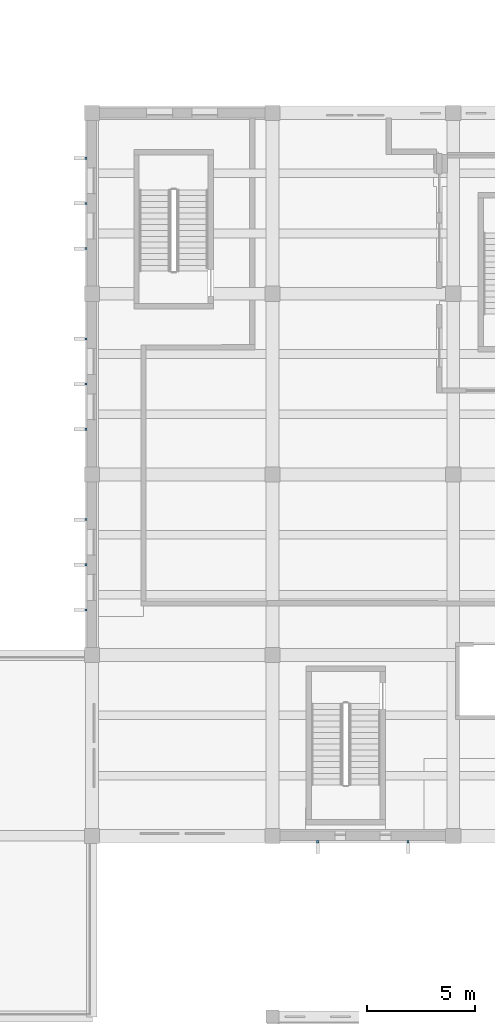
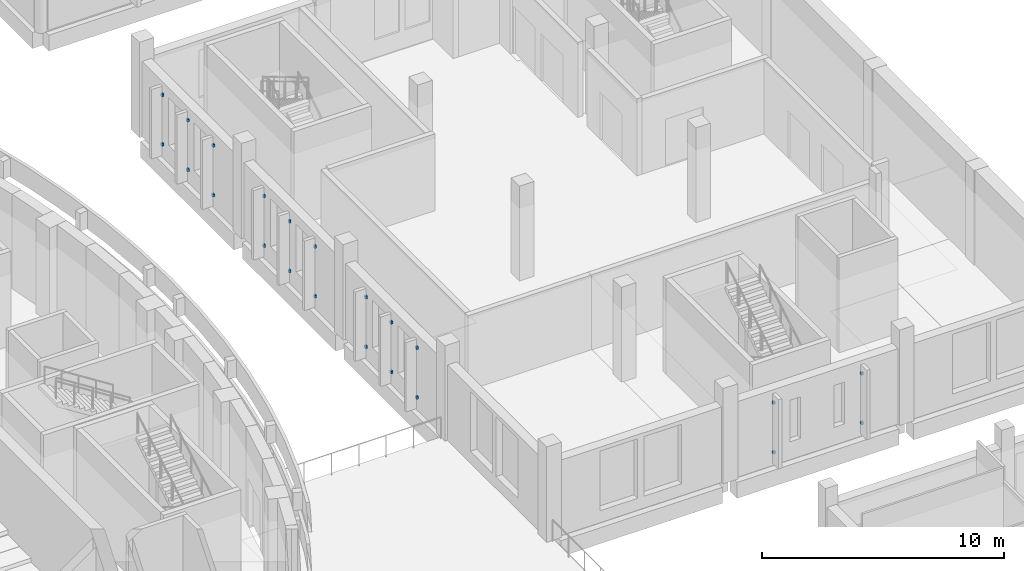
# One storey, part 84 of 119: 22 discrete accessories.
"""IFC4 building model written with IfcOpenShell, lengths in metres."""

from ifc_helpers import new_model, si_unit, direction, frame, origin, origin_2d, place, context, subcontext, project, spatial, rectangle, extrude, material, layer, layer_set, type_object, element, save


model = new_model("IFC4")

# Units and contexts
model_context = context("Model", 3, precision=1e-05, world=origin(), true_north=direction((0.0, 1.0)))
body_context = subcontext(model_context, "Body", "Model", "MODEL_VIEW")
ifc_project = project(units=[si_unit("LENGTHUNIT", "METRE"), si_unit("AREAUNIT", "SQUARE_METRE"), si_unit("VOLUMEUNIT", "CUBIC_METRE"), si_unit("PLANEANGLEUNIT", "RADIAN"), si_unit("MASSUNIT", "GRAM", prefix="KILO")], contexts=[model_context])

# Site, building, storey
site_placement = place(None, origin())
site = spatial("IfcSite", under=ifc_project, at=site_placement, CompositionType="ELEMENT")
building_placement = place(site_placement, origin())
building = spatial("IfcBuilding", under=site, at=building_placement, Name="Larchfold Concert Hall", CompositionType="ELEMENT")
storey_placement = place(building_placement, frame((0.0, 0.0, 4.800048828125)))
storey = spatial("IfcBuildingStorey", under=building, at=storey_placement, Name="L01", CompositionType="ELEMENT", Elevation=4.800048828125)

# Discrete accessories
ifc_material = material(Name="Steel S355 galvanised bracket", Category="steel")
ifc_layer = layer(ifc_material, 0.10009765625)
ifc_layer_set = layer_set([ifc_layer], Name="Steel S355 galvanised bracket")
discrete_accessory_type = type_object("IfcDiscreteAccessoryType", Name="Fin support bracket", PredefinedType="BRACKET", material=ifc_layer_set)
for number, where, z_axis, x_axis, name in (
    (1, (75.925048828125, 95.10009765625, 0.6298828125), (0.0, 0.0, 1.0), (-1.0, 0.0, 0.0), "Fin bracket FN-L01-036-1"),
    (2, (75.925048828125, 95.10009765625, 3.1298828125), (0.0, 0.0, 1.0), (-1.0, 0.0, 0.0), "Fin bracket FN-L01-036-2"),
    (3, (75.925048828125, 97.199951171875, 0.6298828125), (0.0, 0.0, 1.0), (-1.0, 0.0, 0.0), "Fin bracket FN-L01-037-1"),
    (4, (75.925048828125, 97.199951171875, 3.1298828125), (0.0, 0.0, 1.0), (-1.0, 0.0, 0.0), "Fin bracket FN-L01-037-2"),
    (5, (75.925048828125, 99.300048828125, 0.6298828125), (0.0, 0.0, 1.0), (-1.0, 0.0, 0.0), "Fin bracket FN-L01-038-1"),
    (6, (75.925048828125, 99.300048828125, 3.1298828125), (0.0, 0.0, 1.0), (-1.0, 0.0, 0.0), "Fin bracket FN-L01-038-2"),
    (7, (75.925048828125, 86.699951171875, 0.6298828125), (0.0, 0.0, 1.0), (-1.0, 0.0, 0.0), "Fin bracket FN-L01-039-1"),
    (8, (75.925048828125, 86.699951171875, 3.1298828125), (0.0, 0.0, 1.0), (-1.0, 0.0, 0.0), "Fin bracket FN-L01-039-2"),
    (9, (75.925048828125, 88.800048828125, 0.6298828125), (0.0, 0.0, 1.0), (-1.0, 0.0, 0.0), "Fin bracket FN-L01-040-1"),
    (10, (75.925048828125, 88.800048828125, 3.1298828125), (0.0, 0.0, 1.0), (-1.0, 0.0, 0.0), "Fin bracket FN-L01-040-2"),
    (11, (75.925048828125, 90.89990234375, 0.6298828125), (0.0, 0.0, 1.0), (-1.0, 0.0, 0.0), "Fin bracket FN-L01-041-1"),
    (12, (75.925048828125, 90.89990234375, 3.1298828125), (0.0, 0.0, 1.0), (-1.0, 0.0, 0.0), "Fin bracket FN-L01-041-2"),
    (13, (75.925048828125, 78.300048828125, 0.6298828125), (0.0, 0.0, 1.0), (-1.0, 0.0, 0.0), "Fin bracket FN-L01-042-1"),
    (14, (75.925048828125, 78.300048828125, 3.1298828125), (0.0, 0.0, 1.0), (-1.0, 0.0, 0.0), "Fin bracket FN-L01-042-2"),
    (15, (75.925048828125, 80.39990234375, 0.6298828125), (0.0, 0.0, 1.0), (-1.0, 0.0, 0.0), "Fin bracket FN-L01-043-1"),
    (16, (75.925048828125, 80.39990234375, 3.1298828125), (0.0, 0.0, 1.0), (-1.0, 0.0, 0.0), "Fin bracket FN-L01-043-2"),
    (17, (75.925048828125, 82.5, 0.6298828125), (0.0, 0.0, 1.0), (-1.0, 0.0, 0.0), "Fin bracket FN-L01-044-1"),
    (18, (75.925048828125, 82.5, 3.1298828125), (0.0, 0.0, 1.0), (-1.0, 0.0, 0.0), "Fin bracket FN-L01-044-2"),
    (19, (86.699951171875, 67.525146484375, 0.6298828125), (0.0, 0.0, 1.0), (0.0, -1.0, 0.0), "Fin bracket FN-L01-045-1"),
    (20, (86.699951171875, 67.525146484375, 3.1298828125), (0.0, 0.0, 1.0), (0.0, -1.0, 0.0), "Fin bracket FN-L01-045-2"),
    (21, (90.89990234375, 67.525146484375, 0.6298828125), (0.0, 0.0, 1.0), (0.0, -1.0, 0.0), "Fin bracket FN-L01-046-1"),
    (22, (90.89990234375, 67.525146484375, 3.1298828125), (0.0, 0.0, 1.0), (0.0, -1.0, 0.0), "Fin bracket FN-L01-046-2"),
):
    element("IfcDiscreteAccessory", number, at=place(storey_placement, frame(where, z_axis=z_axis, x_axis=x_axis)), inside=storey, type_object=discrete_accessory_type, Name=name, PredefinedType="BRACKET", context=body_context, shape_type="SweptSolid", body=[
        extrude(rectangle(XDim=0.10009765625, YDim=0.10009765625, at=origin_2d()), origin(), (0.0, 0.0, 1.0), 0.139892578125),
    ])

save(model, "model.ifc")
